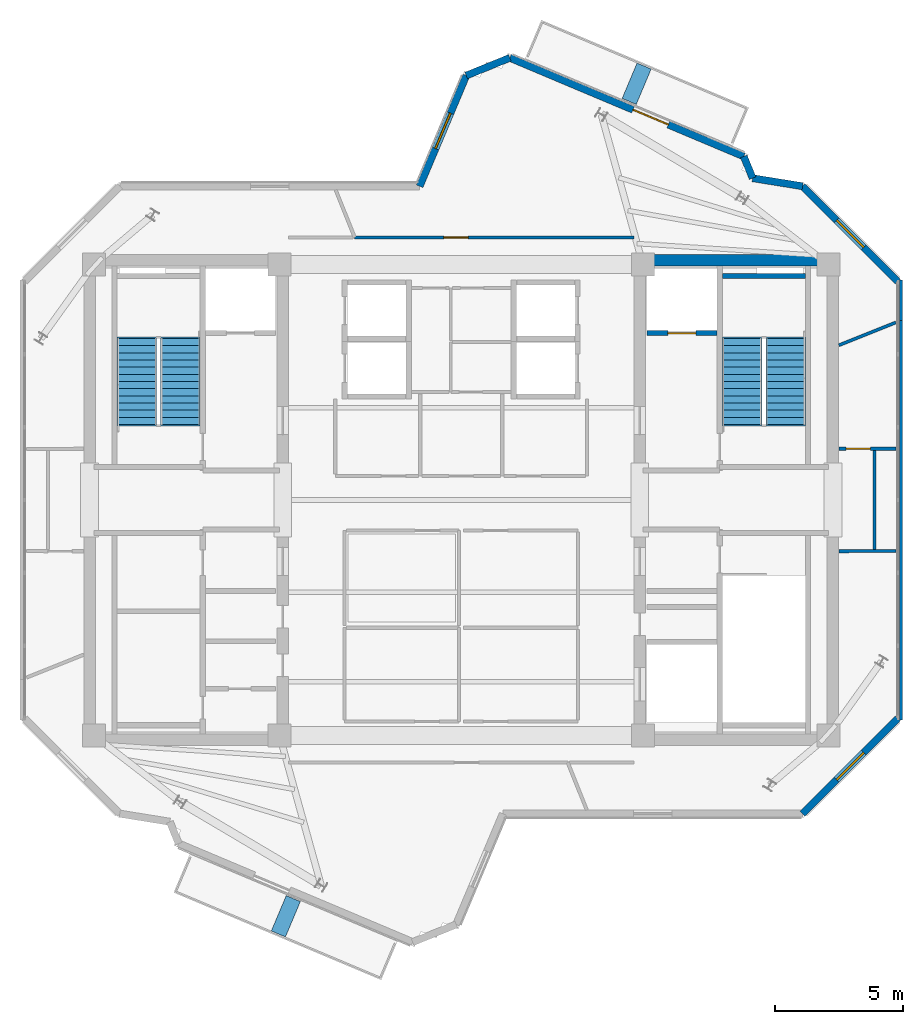
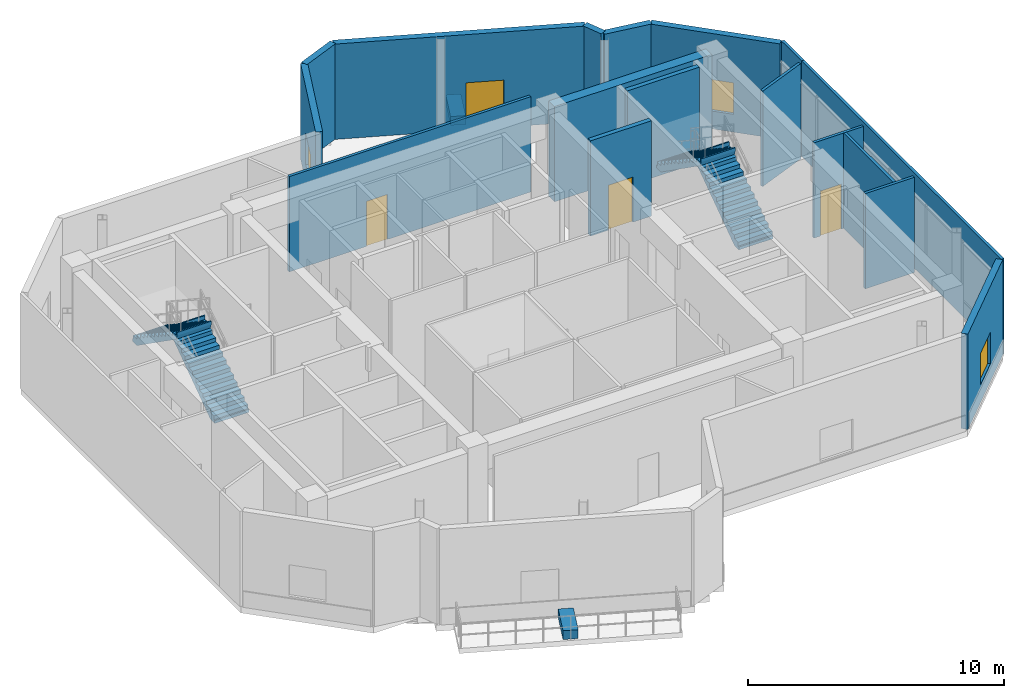
# One storey, part 9 of 11: 17 walls, 4 doors, 4 stair flights, 3 windows, 2 discrete accessories, 7 openings, 2 elements without a shape of their own.
"""IFC4 building model written with IfcOpenShell, lengths in metres."""

from ifc_helpers import new_model, si_unit, direction, frame, frame_2d, origin, origin_2d, place, context, subcontext, project, spatial, polyline, rectangle, outline, extrude, source, transform, mapped, material, layer, layer_set, type_object, element, fill, aggregate, save


model = new_model("IFC4")

# Units and contexts
model_context = context("Model", 3, precision=1e-05, world=origin(), true_north=direction((0.0, 1.0)))
body_context = subcontext(model_context, "Body", "Model", "MODEL_VIEW")
ifc_project = project(units=[si_unit("LENGTHUNIT", "METRE"), si_unit("AREAUNIT", "SQUARE_METRE"), si_unit("VOLUMEUNIT", "CUBIC_METRE"), si_unit("PLANEANGLEUNIT", "RADIAN"), si_unit("MASSUNIT", "GRAM", prefix="KILO")], contexts=[model_context])

# Site, building, storey
site_placement = place(None, origin())
site = spatial("IfcSite", under=ifc_project, at=site_placement, CompositionType="ELEMENT")
building_placement = place(site_placement, origin())
building = spatial("IfcBuilding", under=site, at=building_placement, Name="Zahravan Cultural Tower", CompositionType="ELEMENT")
storey_placement = place(building_placement, frame((0.0, 0.0, 365.85009765625)))
storey = spatial("IfcBuildingStorey", under=building, at=storey_placement, Name="L89", CompositionType="ELEMENT", Elevation=365.85009765625)

# Wall, opening, window
ifc_material_1 = material(Name="Precast concrete C40/50", Category="concrete")
ifc_layer_1 = layer(ifc_material_1, 0.280029296875)
ifc_layer_set_1 = layer_set([ifc_layer_1], Name="Precast concrete C40/50")
wall_type_1 = type_object("IfcWallType", Name="EW-TC-280", PredefinedType="SOLIDWALL", material=ifc_layer_set_1)
wall_1_placement = place(storey_placement, frame((34.373046875, 39.260009765625, 0.0), z_axis=(0.0, 0.0, 1.0), x_axis=(0.388331368366, 0.921519803554, 0.0)))
wall_1 = element("IfcWall", 1, at=wall_1_placement, inside=storey, type_object=wall_type_1, Name="L89 Exterior Masonry Frame Wall 01", PredefinedType="SOLIDWALL", context=body_context, shape_type="SweptSolid", body=[
    extrude(rectangle(XDim=4.69384765625, YDim=0.280029296875, at=frame_2d((2.346923828125, 0.0))), origin(), (0.0, 0.0, 1.0), 4.5498046875),
])
opening_1_placement = place(wall_1_placement, frame((1.596923828125, 0.0, 0.85009765625)))
opening_1 = element("IfcOpeningElement", 2, at=opening_1_placement, cuts=wall_1, Name="Opening WN-03", PredefinedType="OPENING", context=body_context, shape_type="SweptSolid", body=[
    extrude(rectangle(XDim=1.5, YDim=1.5, at=frame_2d((0.75, 0.75))), frame((0.0, 0.14990234375, 0.0), z_axis=(0.0, -1.0, 0.0), x_axis=(1.0, 0.0, 0.0)), (0.0, 0.0, 1.0), 0.300048828125),
])
ifc_material_2 = material(Name="Low-E solar-control double glazing", Category="glass")
window_type = type_object("IfcWindowType", Name="WN-REC-1500X1500", PartitioningType="SINGLE_PANEL", PredefinedType="WINDOW", material=ifc_material_2)
shared_shape_1 = source(origin(), body_context, "Body", "SweptSolid", [
    extrude(rectangle(XDim=1.5, YDim=1.5, at=frame_2d((0.75, 0.75))), frame((0.0, 0.030029296875, 0.0), z_axis=(0.0, -1.0, 0.0), x_axis=(1.0, 0.0, 0.0)), (0.0, 0.0, 1.0), 0.06005859375),
])
window_1_placement = place(opening_1_placement, origin())
window_1 = element("IfcWindow", 3, at=window_1_placement, inside=storey, type_object=window_type, Name="L89 Recessed Solar Window 01", OverallHeight=1.5, OverallWidth=1.5, PartitioningType="SINGLE_PANEL", PredefinedType="WINDOW", context=body_context, shape_type="MappedRepresentation", body=[
    mapped(shared_shape_1, transform((0.0, 0.0, 0.0), x_axis=(1.0, 0.0, 0.0), y_axis=(0.0, 1.0, 0.0), z_axis=(0.0, 0.0, 1.0), scale=1.0)),
])
fill(opening_1, window_1)

# Wall, opening, door
wall_2_placement = place(storey_placement, frame((37.898681640625, 44.278564453125, 0.0), z_axis=(0.0, 0.0, 1.0), x_axis=(0.921528789879, -0.38831004291, 0.0)))
wall_2 = element("IfcWall", 4, at=wall_2_placement, inside=storey, type_object=wall_type_1, Name="L89 Exterior Masonry Frame Wall 03", PredefinedType="SOLIDWALL", context=body_context, shape_type="SweptSolid", body=[
    extrude(rectangle(XDim=9.919921875, YDim=0.280029296875, at=frame_2d((4.9599609375, 0.0))), origin(), (0.0, 0.0, 1.0), 4.5498046875),
])
opening_2_placement = place(wall_2_placement, frame((5.219970703125, 0.0, 0.0)))
opening_2 = element("IfcOpeningElement", 5, at=opening_2_placement, cuts=wall_2, Name="Opening D-L89-TR-NE", PredefinedType="OPENING", context=body_context, shape_type="SweptSolid", body=[
    extrude(rectangle(XDim=1.5, YDim=2.25, at=frame_2d((0.75, 1.125))), frame((0.0, 0.14990234375, 0.0), z_axis=(0.0, -1.0, 0.0), x_axis=(1.0, 0.0, 0.0)), (0.0, 0.0, 1.0), 0.300048828125),
])
ifc_material_3 = material(Name="Anodised bronze-aluminium mullion", Category="aluminium")
door_type_1 = type_object("IfcDoorType", Name="DR-OBS-1500", OperationType="DOUBLE_DOOR_SINGLE_SWING", PredefinedType="DOOR", material=ifc_material_3)
shared_shape_2 = source(origin(), body_context, "Body", "SweptSolid", [
    extrude(rectangle(XDim=1.5, YDim=2.25, at=frame_2d((0.75, 1.125))), frame((0.0, 0.02490234375, 0.0), z_axis=(0.0, -1.0, 0.0), x_axis=(1.0, 0.0, 0.0)), (0.0, 0.0, 1.0), 0.050048828125),
])
door_1_placement = place(opening_2_placement, origin())
door_1 = element("IfcDoor", 6, at=door_1_placement, inside=storey, type_object=door_type_1, Name="L89 Terrace Access Door NE", OperationType="DOUBLE_DOOR_SINGLE_SWING", OverallHeight=2.25, OverallWidth=1.5, PredefinedType="DOOR", context=body_context, shape_type="MappedRepresentation", body=[
    mapped(shared_shape_2, transform((0.0, 0.0, 0.0), x_axis=(1.0, 0.0, 0.0), y_axis=(0.0, 1.0, 0.0), z_axis=(0.0, 0.0, 1.0), scale=1.0)),
])
fill(opening_2, door_1)

# Wall, opening, window
wall_3_placement = place(storey_placement, frame((49.342041015625, 39.260009765625, 0.0), z_axis=(0.0, 0.0, 1.0), x_axis=(0.707106781187, -0.707106781187, 0.0)))
wall_3 = element("IfcWall", 7, at=wall_3_placement, inside=storey, type_object=wall_type_1, Name="L89 Exterior Masonry Frame Wall 06", PredefinedType="SOLIDWALL", context=body_context, shape_type="SweptSolid", body=[
    extrude(rectangle(XDim=5.258056640625, YDim=0.280029296875, at=frame_2d((2.62890625, 0.0))), origin(), (0.0, 0.0, 1.0), 4.5498046875),
])
opening_3_placement = place(wall_3_placement, frame((1.87890625, 0.0, 0.85009765625)))
opening_3 = element("IfcOpeningElement", 8, at=opening_3_placement, cuts=wall_3, Name="Opening WN-03", PredefinedType="OPENING", context=body_context, shape_type="SweptSolid", body=[
    extrude(rectangle(XDim=1.5, YDim=1.5, at=frame_2d((0.75, 0.75))), frame((0.0, 0.14990234375, 0.0), z_axis=(0.0, -1.0, 0.0), x_axis=(1.0, 0.0, 0.0)), (0.0, 0.0, 1.0), 0.300048828125),
])
window_2_placement = place(opening_3_placement, origin())
window_2 = element("IfcWindow", 9, at=window_2_placement, inside=storey, type_object=window_type, Name="L89 Recessed Solar Window 02", OverallHeight=1.5, OverallWidth=1.5, PartitioningType="SINGLE_PANEL", PredefinedType="WINDOW", context=body_context, shape_type="MappedRepresentation", body=[
    mapped(shared_shape_1, transform((0.0, 0.0, 0.0), x_axis=(1.0, 0.0, 0.0), y_axis=(0.0, 1.0, 0.0), z_axis=(0.0, 0.0, 1.0), scale=1.0)),
])
fill(opening_3, window_2)

wall_4_placement = place(storey_placement, frame((53.06005859375, 18.4580078125, 0.0), z_axis=(0.0, 0.0, 1.0), x_axis=(-0.707106781187, -0.707106781187, 0.0)))
wall_4 = element("IfcWall", 10, at=wall_4_placement, inside=storey, type_object=wall_type_1, Name="L89 Exterior Masonry Frame Wall 07", PredefinedType="SOLIDWALL", context=body_context, shape_type="SweptSolid", body=[
    extrude(rectangle(XDim=5.258056640625, YDim=0.280029296875, at=frame_2d((2.62890625, 0.0))), origin(), (0.0, 0.0, 1.0), 4.5498046875),
])
opening_4_placement = place(wall_4_placement, frame((1.87890625, 0.0, 0.85009765625)))
opening_4 = element("IfcOpeningElement", 11, at=opening_4_placement, cuts=wall_4, Name="Opening WN-03", PredefinedType="OPENING", context=body_context, shape_type="SweptSolid", body=[
    extrude(rectangle(XDim=1.5, YDim=1.5, at=frame_2d((0.75, 0.75))), frame((0.0, 0.14990234375, 0.0), z_axis=(0.0, -1.0, 0.0), x_axis=(1.0, 0.0, 0.0)), (0.0, 0.0, 1.0), 0.300048828125),
])
window_3_placement = place(opening_4_placement, origin())
window_3 = element("IfcWindow", 12, at=window_3_placement, inside=storey, type_object=window_type, Name="L89 Recessed Solar Window 03", OverallHeight=1.5, OverallWidth=1.5, PartitioningType="SINGLE_PANEL", PredefinedType="WINDOW", context=body_context, shape_type="MappedRepresentation", body=[
    mapped(shared_shape_1, transform((0.0, 0.0, 0.0), x_axis=(1.0, 0.0, 0.0), y_axis=(0.0, 1.0, 0.0), z_axis=(0.0, 0.0, 1.0), scale=1.0)),
])
fill(opening_4, window_3)

# Wall, opening, door
ifc_material_4 = material(Name="Gypsum plasterboard partition")
ifc_layer_2 = layer(ifc_material_4, 0.125)
ifc_layer_set_2 = layer_set([ifc_layer_2], Name="Gypsum plasterboard partition")
wall_type_2 = type_object("IfcWallType", Name="W-PART-125", PredefinedType="PARTITIONING", material=ifc_layer_set_2)
wall_5_placement = place(storey_placement, frame((52.985107421875, 29.0, 0.0), z_axis=(0.0, 0.0, 1.0), x_axis=(-1.0, 0.0, 0.0)))
wall_5 = element("IfcWall", 13, at=wall_5_placement, inside=storey, type_object=wall_type_2, Name="L89 Interior Wall 081", PredefinedType="PARTITIONING", context=body_context, shape_type="SweptSolid", body=[
    extrude(rectangle(XDim=2.230224609375, YDim=0.125, at=frame_2d((1.115234375, 0.0))), origin(), (0.0, 0.0, 1.0), 4.5498046875),
])
opening_5_placement = place(wall_5_placement, frame((0.998291015625, 0.0, 0.0)))
opening_5 = element("IfcOpeningElement", 14, at=opening_5_placement, cuts=wall_5, Name="Opening D-L89-26", PredefinedType="OPENING", context=body_context, shape_type="SweptSolid", body=[
    extrude(rectangle(XDim=0.949951171875, YDim=2.14990234375, at=frame_2d((0.47509765625, 1.074951171875))), frame((0.0, 0.072509765625, 0.0), z_axis=(0.0, -1.0, 0.0), x_axis=(1.0, 0.0, 0.0)), (0.0, 0.0, 1.0), 0.14501953125),
])
door_type_2 = type_object("IfcDoorType", Name="DR-ROOM-950", OperationType="NOTDEFINED", PredefinedType="DOOR", material=ifc_material_3)
shared_shape_3 = source(origin(), body_context, "Body", "SweptSolid", [
    extrude(rectangle(XDim=0.949951171875, YDim=2.14990234375, at=frame_2d((0.47509765625, 1.074951171875))), frame((0.0, 0.02490234375, 0.0), z_axis=(0.0, -1.0, 0.0), x_axis=(1.0, 0.0, 0.0)), (0.0, 0.0, 1.0), 0.050048828125),
])
door_2_placement = place(opening_5_placement, origin())
door_2 = element("IfcDoor", 15, at=door_2_placement, inside=storey, type_object=door_type_2, Name="L89 Door D-L89-26", OperationType="SINGLE_SWING_LEFT", OverallHeight=2.14990234375, OverallWidth=0.949951171875, PredefinedType="DOOR", context=body_context, shape_type="MappedRepresentation", body=[
    mapped(shared_shape_3, transform((0.0, 0.0, 0.0), x_axis=(1.0, 0.0, 0.0), y_axis=(0.0, 1.0, 0.0), z_axis=(0.0, 0.0, 1.0), scale=1.0)),
])
fill(opening_5, door_2)

wall_6_placement = place(storey_placement, frame((42.742431640625, 37.259765625, 0.0), z_axis=(0.0, 0.0, 1.0), x_axis=(-0.999999999749, 2.2389396e-05, 0.0)))
wall_6 = element("IfcWall", 16, at=wall_6_placement, inside=storey, type_object=wall_type_2, Name="L89 Interior Wall 084", PredefinedType="PARTITIONING", context=body_context, shape_type="SweptSolid", body=[
    extrude(rectangle(XDim=10.904296875, YDim=0.125, at=frame_2d((5.4521484375, 0.0))), origin(), (0.0, 0.0, 1.0), 4.5498046875),
])
opening_6_placement = place(wall_6_placement, frame((6.47021484375, 0.0, 0.0)))
opening_6 = element("IfcOpeningElement", 17, at=opening_6_placement, cuts=wall_6, Name="Opening D-L89-23", PredefinedType="OPENING", context=body_context, shape_type="SweptSolid", body=[
    extrude(rectangle(XDim=0.949951171875, YDim=2.14990234375, at=frame_2d((0.47509765625, 1.074951171875))), frame((0.0, 0.072509765625, 0.0), z_axis=(0.0, -1.0, 0.0), x_axis=(1.0, 0.0, 0.0)), (0.0, 0.0, 1.0), 0.14501953125),
])
door_3_placement = place(opening_6_placement, origin())
door_3 = element("IfcDoor", 18, at=door_3_placement, inside=storey, type_object=door_type_2, Name="L89 Door D-L89-23", OperationType="SINGLE_SWING_RIGHT", OverallHeight=2.14990234375, OverallWidth=0.949951171875, PredefinedType="DOOR", context=body_context, shape_type="MappedRepresentation", body=[
    mapped(shared_shape_3, transform((0.0, 0.0, 0.0), x_axis=(1.0, 0.0, 0.0), y_axis=(0.0, 1.0, 0.0), z_axis=(0.0, 0.0, 1.0), scale=1.0)),
])
fill(opening_6, door_3)

ifc_material_5 = material(Name="Concrete C45/55", Category="concrete")
ifc_layer_3 = layer(ifc_material_5, 0.199951171875)
ifc_layer_set_3 = layer_set([ifc_layer_3], Name="Concrete C45/55")
wall_type_3 = type_object("IfcWallType", Name="W-SHAFT-200", PredefinedType="SOLIDWALL", material=ifc_layer_set_3)
wall_7_placement = place(storey_placement, frame((43.25, 33.52001953125, 0.0), z_axis=(0.0, 0.0, 1.0), x_axis=(1.0, 0.0, 0.0)))
wall_7 = element("IfcWall", 19, at=wall_7_placement, inside=storey, type_object=wall_type_3, Name="L89 Interior Wall 023", PredefinedType="SOLIDWALL", context=body_context, shape_type="SweptSolid", body=[
    extrude(rectangle(XDim=2.75, YDim=0.199951171875, at=frame_2d((1.375, 0.0))), origin(), (0.0, 0.0, 1.0), 4.5498046875),
])
opening_7_placement = place(wall_7_placement, frame((0.820068359375, 0.0, 0.0)))
opening_7 = element("IfcOpeningElement", 20, at=opening_7_placement, cuts=wall_7, Name="Opening LD-L89-02", PredefinedType="OPENING", context=body_context, shape_type="SweptSolid", body=[
    extrude(rectangle(XDim=1.10009765625, YDim=2.14990234375, at=frame_2d((0.550048828125, 1.074951171875))), frame((0.0, 0.10986328125, 0.0), z_axis=(0.0, -1.0, 0.0), x_axis=(1.0, 0.0, 0.0)), (0.0, 0.0, 1.0), 0.219970703125),
])
ifc_material_6 = material(Name="Steel ASTM A572 Grade 50", Category="steel")
door_type_3 = type_object("IfcDoorType", Name="DR-LIFT-1100", OperationType="DOUBLE_DOOR_SLIDING", PredefinedType="DOOR", material=ifc_material_6)
shared_shape_4 = source(origin(), body_context, "Body", "SweptSolid", [
    extrude(rectangle(XDim=1.10009765625, YDim=2.14990234375, at=frame_2d((0.550048828125, 1.074951171875))), frame((0.0, 0.02490234375, 0.0), z_axis=(0.0, -1.0, 0.0), x_axis=(1.0, 0.0, 0.0)), (0.0, 0.0, 1.0), 0.050048828125),
])
door_4_placement = place(opening_7_placement, origin())
door_4 = element("IfcDoor", 21, at=door_4_placement, inside=storey, type_object=door_type_3, Name="L89 Door LD-L89-02", OperationType="DOUBLE_DOOR_SLIDING", OverallHeight=2.14990234375, OverallWidth=1.10009765625, PredefinedType="DOOR", context=body_context, shape_type="MappedRepresentation", body=[
    mapped(shared_shape_4, transform((0.0, 0.0, 0.0), x_axis=(1.0, 0.0, 0.0), y_axis=(0.0, 1.0, 0.0), z_axis=(0.0, 0.0, 1.0), scale=1.0)),
])
fill(opening_7, door_4)

# Walls
ifc_material_7 = material(Name="Concrete C50/60", Category="concrete")
ifc_layer_4 = layer(ifc_material_7, 0.449951171875)
ifc_layer_set_4 = layer_set([ifc_layer_4], Name="Concrete C50/60")
wall_type_4 = type_object("IfcWallType", Name="CW-SHEAR-450-C50", PredefinedType="SHEAR", material=ifc_layer_set_4)
shared_shape_5 = source(origin(), body_context, "Body", "SweptSolid", [
    extrude(rectangle(XDim=7.10009765625, YDim=0.449951171875, at=frame_2d((3.550048828125, 0.0))), origin(), (0.0, 0.0, 1.0), 4.5498046875),
])
wall_8_placement = place(storey_placement, frame((43.199951171875, 36.375, 0.0), z_axis=(0.0, 0.0, 1.0), x_axis=(1.0, 0.0, 0.0)))
element("IfcWall", 22, at=wall_8_placement, inside=storey, type_object=wall_type_4, Name="L89 Core Shear Wall CW-E-N-L89", PredefinedType="SHEAR", context=body_context, shape_type="MappedRepresentation", body=[
    mapped(shared_shape_5, transform((0.0, 0.0, 0.0), x_axis=(1.0, 0.0, 0.0), y_axis=(0.0, 1.0, 0.0), z_axis=(0.0, 0.0, 1.0), scale=1.0)),
])
shared_shape_6 = source(origin(), body_context, "Body", "SweptSolid", [
    extrude(rectangle(XDim=1.838623046875, YDim=0.280029296875, at=frame_2d((0.91943359375, 0.0))), origin(), (0.0, 0.0, 1.0), 4.5498046875),
])
wall_9_placement = place(storey_placement, frame((36.19580078125, 43.58544921875, 0.0), z_axis=(0.0, 0.0, 1.0), x_axis=(0.926216039781, 0.376993166586, 0.0)))
element("IfcWall", 23, at=wall_9_placement, inside=storey, type_object=wall_type_1, Name="L89 Exterior Masonry Frame Wall 02", PredefinedType="SOLIDWALL", context=body_context, shape_type="MappedRepresentation", body=[
    mapped(shared_shape_6, transform((0.0, 0.0, 0.0), x_axis=(1.0, 0.0, 0.0), y_axis=(0.0, 1.0, 0.0), z_axis=(0.0, 0.0, 1.0), scale=1.0)),
])
shared_shape_7 = source(origin(), body_context, "Body", "SweptSolid", [
    extrude(rectangle(XDim=0.919189453125, YDim=0.280029296875, at=frame_2d((0.45947265625, 0.0))), origin(), (0.0, 0.0, 1.0), 4.5498046875),
])
wall_10_placement = place(storey_placement, frame((47.040283203125, 40.426513671875, 0.0), z_axis=(0.0, 0.0, 1.0), x_axis=(0.376925603324, -0.926243536851, 0.0)))
element("IfcWall", 24, at=wall_10_placement, inside=storey, type_object=wall_type_1, Name="L89 Exterior Masonry Frame Wall 04", PredefinedType="SOLIDWALL", context=body_context, shape_type="MappedRepresentation", body=[
    mapped(shared_shape_7, transform((0.0, 0.0, 0.0), x_axis=(1.0, 0.0, 0.0), y_axis=(0.0, 1.0, 0.0), z_axis=(0.0, 0.0, 1.0), scale=1.0)),
])
shared_shape_8 = source(origin(), body_context, "Body", "SweptSolid", [
    extrude(rectangle(XDim=1.98046875, YDim=0.280029296875, at=frame_2d((0.990234375, 0.0))), origin(), (0.0, 0.0, 1.0), 4.5498046875),
])
wall_11_placement = place(storey_placement, frame((47.38671875, 39.5751953125, 0.0), z_axis=(0.0, 0.0, 1.0), x_axis=(0.987256118563, -0.159139424281, 0.0)))
element("IfcWall", 25, at=wall_11_placement, inside=storey, type_object=wall_type_1, Name="L89 Exterior Masonry Frame Wall 05", PredefinedType="SOLIDWALL", context=body_context, shape_type="MappedRepresentation", body=[
    mapped(shared_shape_8, transform((0.0, 0.0, 0.0), x_axis=(1.0, 0.0, 0.0), y_axis=(0.0, 1.0, 0.0), z_axis=(0.0, 0.0, 1.0), scale=1.0)),
])
shared_shape_9 = source(origin(), body_context, "Body", "SweptSolid", [
    extrude(rectangle(XDim=3.25, YDim=0.199951171875, at=frame_2d((1.625, 0.0))), origin(), (0.0, 0.0, 1.0), 4.5498046875),
])
wall_12_placement = place(storey_placement, frame((46.199951171875, 35.75, 0.0), z_axis=(0.0, 0.0, 1.0), x_axis=(1.0, 0.0, 0.0)))
element("IfcWall", 26, at=wall_12_placement, inside=storey, type_object=wall_type_3, Name="L89 Interior Wall 018", PredefinedType="SOLIDWALL", context=body_context, shape_type="MappedRepresentation", body=[
    mapped(shared_shape_9, transform((0.0, 0.0, 0.0), x_axis=(1.0, 0.0, 0.0), y_axis=(0.0, 1.0, 0.0), z_axis=(0.0, 0.0, 1.0), scale=1.0)),
])
shared_shape_10 = source(origin(), body_context, "Body", "SweptSolid", [
    extrude(rectangle(XDim=2.396728515625, YDim=0.125, at=frame_2d((1.1982421875, 0.0))), origin(), (0.0, 0.0, 1.0), 4.5498046875),
])
wall_13_placement = place(storey_placement, frame((50.7548828125, 33.04541015625, 0.0), z_axis=(0.0, 0.0, 1.0), x_axis=(0.928357220149, 0.371689213992, 0.0)))
element("IfcWall", 27, at=wall_13_placement, inside=storey, type_object=wall_type_2, Name="L89 Interior Wall 082", PredefinedType="PARTITIONING", context=body_context, shape_type="MappedRepresentation", body=[
    mapped(shared_shape_10, transform((0.0, 0.0, 0.0), x_axis=(1.0, 0.0, 0.0), y_axis=(0.0, 1.0, 0.0), z_axis=(0.0, 0.0, 1.0), scale=1.0)),
])
shared_shape_11 = source(origin(), body_context, "Body", "SweptSolid", [
    extrude(rectangle(XDim=15.60791015625, YDim=0.125, at=frame_2d((7.803955078125, 0.0))), origin(), (0.0, 0.0, 1.0), 4.5498046875),
])
wall_14_placement = place(storey_placement, frame((53.179931640625, 34.01611328125, 0.0), z_axis=(0.0, 0.0, 1.0), x_axis=(0.0, -1.0, 0.0)))
element("IfcWall", 28, at=wall_14_placement, inside=storey, type_object=wall_type_2, Name="L89 Interior Wall 083", PredefinedType="PARTITIONING", context=body_context, shape_type="MappedRepresentation", body=[
    mapped(shared_shape_11, transform((0.0, 0.0, 0.0), x_axis=(1.0, 0.0, 0.0), y_axis=(0.0, 1.0, 0.0), z_axis=(0.0, 0.0, 1.0), scale=1.0)),
])
shared_shape_12 = source(origin(), body_context, "Body", "SweptSolid", [
    extrude(rectangle(XDim=2.230224609375, YDim=0.125, at=frame_2d((1.115234375, 0.0))), origin(), (0.0, 0.0, 1.0), 4.5498046875),
])
wall_15_placement = place(storey_placement, frame((50.7548828125, 25.000244140625, 0.0), z_axis=(0.0, 0.0, 1.0), x_axis=(0.999997100011, 0.002408312666, 0.0)))
element("IfcWall", 29, at=wall_15_placement, inside=storey, type_object=wall_type_2, Name="L89 Interior Wall 079", PredefinedType="PARTITIONING", context=body_context, shape_type="MappedRepresentation", body=[
    mapped(shared_shape_12, transform((0.0, 0.0, 0.0), x_axis=(1.0, 0.0, 0.0), y_axis=(0.0, 1.0, 0.0), z_axis=(0.0, 0.0, 1.0), scale=1.0)),
])
shared_shape_13 = source(origin(), body_context, "Body", "SweptSolid", [
    extrude(rectangle(XDim=3.923095703125, YDim=0.125, at=frame_2d((1.96142578125, 0.0))), origin(), (0.0, 0.0, 1.0), 4.5498046875),
])
wall_16_placement = place(storey_placement, frame((52.1494140625, 25.071044921875, 0.0), z_axis=(0.0, 0.0, 1.0), x_axis=(0.000124463251, 0.999999992254, 0.0)))
element("IfcWall", 30, at=wall_16_placement, inside=storey, type_object=wall_type_2, Name="L89 Interior Wall 080", PredefinedType="PARTITIONING", context=body_context, shape_type="MappedRepresentation", body=[
    mapped(shared_shape_13, transform((0.0, 0.0, 0.0), x_axis=(1.0, 0.0, 0.0), y_axis=(0.0, 1.0, 0.0), z_axis=(0.0, 0.0, 1.0), scale=1.0)),
])
shared_shape_14 = source(origin(), body_context, "Body", "SweptSolid", [
    extrude(rectangle(XDim=1.57568359375, YDim=0.125, at=frame_2d((0.787841796875, 0.0))), origin(), (0.0, 0.0, 1.0), 4.5498046875),
])
wall_17_placement = place(storey_placement, frame((53.179931640625, 35.591796875, 0.0), z_axis=(0.0, 0.0, 1.0), x_axis=(0.0, -1.0, 0.0)))
element("IfcWall", 31, at=wall_17_placement, inside=storey, type_object=wall_type_2, Name="L89 Interior Wall 085", PredefinedType="PARTITIONING", context=body_context, shape_type="MappedRepresentation", body=[
    mapped(shared_shape_14, transform((0.0, 0.0, 0.0), x_axis=(1.0, 0.0, 0.0), y_axis=(0.0, 1.0, 0.0), z_axis=(0.0, 0.0, 1.0), scale=1.0)),
])

# Stair, stair flights
stair_type = type_object("IfcStairType", Name="STR-DL-1550-480", PredefinedType="HALF_TURN_STAIR", material=ifc_material_5)
stair_1_placement = place(storey_placement, origin())
stair_1 = element("IfcStair", 32, at=stair_1_placement, inside=storey, type_object=stair_type, Name="L89 West Core North Exit Stair ST-W1", PredefinedType="HALF_TURN_STAIR")
stair_flight_type = type_object("IfcStairFlightType", Name="FLG-DL-1550-480", PredefinedType="STRAIGHT", material=ifc_material_5)
stair_flight_1_placement = place(storey_placement, frame((25.02490234375, 29.949951171875, 0.0), z_axis=(0.0, 0.0, 1.0), x_axis=(0.0, 1.0, 0.0)))
stair_flight_1 = element("IfcStairFlight", 33, at=stair_flight_1_placement, type_object=stair_flight_type, Name="ST-W1 flight 1", NumberOfRisers=13, NumberOfTreads=12, PredefinedType="STRAIGHT", RiserHeight=0.184615385, TreadLength=0.28, context=body_context, shape_type="SweptSolid", body=[
    extrude(outline(polyline([(-0.06494140625, -0.139892578125), (-0.06494140625, 0.0), (0.0, 0.0), (0.0, 0.1845703125), (0.280029296875, 0.1845703125), (0.280029296875, 0.369140625), (0.56005859375, 0.369140625), (0.56005859375, 0.553955078125), (0.840087890625, 0.553955078125), (0.840087890625, 0.738525390625), (1.1201171875, 0.738525390625), (1.1201171875, 0.923095703125), (1.39990234375, 0.923095703125), (1.39990234375, 1.107666015625), (1.679931640625, 1.107666015625), (1.679931640625, 1.292236328125), (1.9599609375, 1.292236328125), (1.9599609375, 1.476806640625), (2.239990234375, 1.476806640625), (2.239990234375, 1.66162109375), (2.52001953125, 1.66162109375), (2.52001953125, 1.84619140625), (2.800048828125, 1.84619140625), (2.800048828125, 2.03076171875), (3.080078125, 2.03076171875), (3.080078125, 2.21533203125), (3.360107421875, 2.21533203125), (3.360107421875, 2.39990234375), (3.425048828125, 2.39990234375), (3.425048828125, 2.25), (3.360107421875, 2.035888671875), (0.272216796875, -0.139892578125), (-0.06494140625, -0.139892578125)])), frame((0.0, 0.77490234375, 0.0), z_axis=(0.0, -1.0, 0.0), x_axis=(1.0, 0.0, 0.0)), (0.0, 0.0, 1.0), 1.550048828125),
])
stair_flight_2_placement = place(storey_placement, frame((23.324951171875, 33.31005859375, 2.39990234375), z_axis=(0.0, 0.0, 1.0), x_axis=(0.0, -1.0, 0.0)))
stair_flight_2 = element("IfcStairFlight", 34, at=stair_flight_2_placement, type_object=stair_flight_type, Name="ST-W1 flight 2", NumberOfRisers=13, NumberOfTreads=12, PredefinedType="STRAIGHT", RiserHeight=0.184615385, TreadLength=0.28, context=body_context, shape_type="SweptSolid", body=[
    extrude(outline(polyline([(-0.06494140625, -0.139892578125), (-0.06494140625, 0.0), (0.0, 0.0), (0.0, 0.1845703125), (0.280029296875, 0.1845703125), (0.280029296875, 0.369140625), (0.56005859375, 0.369140625), (0.56005859375, 0.553955078125), (0.840087890625, 0.553955078125), (0.840087890625, 0.738525390625), (1.1201171875, 0.738525390625), (1.1201171875, 0.923095703125), (1.39990234375, 0.923095703125), (1.39990234375, 1.107666015625), (1.679931640625, 1.107666015625), (1.679931640625, 1.292236328125), (1.9599609375, 1.292236328125), (1.9599609375, 1.476806640625), (2.239990234375, 1.476806640625), (2.239990234375, 1.66162109375), (2.52001953125, 1.66162109375), (2.52001953125, 1.84619140625), (2.800048828125, 1.84619140625), (2.800048828125, 2.03076171875), (3.080078125, 2.03076171875), (3.080078125, 2.21533203125), (3.360107421875, 2.21533203125), (3.360107421875, 2.39990234375), (3.425048828125, 2.39990234375), (3.425048828125, 2.25), (3.360107421875, 2.035888671875), (0.272216796875, -0.139892578125), (-0.06494140625, -0.139892578125)])), frame((0.0, 0.77490234375, 0.0), z_axis=(0.0, -1.0, 0.0), x_axis=(1.0, 0.0, 0.0)), (0.0, 0.0, 1.0), 1.550048828125),
])
aggregate(stair_1, [stair_flight_1, stair_flight_2])

stair_2_placement = place(storey_placement, origin())
stair_2 = element("IfcStair", 35, at=stair_2_placement, inside=storey, type_object=stair_type, Name="L89 East Core North Exit Stair ST-E1", PredefinedType="HALF_TURN_STAIR")
stair_flight_3_placement = place(storey_placement, frame((48.675048828125, 29.949951171875, 0.0), z_axis=(0.0, 0.0, 1.0), x_axis=(0.0, 1.0, 0.0)))
stair_flight_3 = element("IfcStairFlight", 36, at=stair_flight_3_placement, type_object=stair_flight_type, Name="ST-E1 flight 1", NumberOfRisers=13, NumberOfTreads=12, PredefinedType="STRAIGHT", RiserHeight=0.184615385, TreadLength=0.28, context=body_context, shape_type="SweptSolid", body=[
    extrude(outline(polyline([(-0.06494140625, -0.139892578125), (-0.06494140625, 0.0), (0.0, 0.0), (0.0, 0.1845703125), (0.280029296875, 0.1845703125), (0.280029296875, 0.369140625), (0.56005859375, 0.369140625), (0.56005859375, 0.553955078125), (0.840087890625, 0.553955078125), (0.840087890625, 0.738525390625), (1.1201171875, 0.738525390625), (1.1201171875, 0.923095703125), (1.39990234375, 0.923095703125), (1.39990234375, 1.107666015625), (1.679931640625, 1.107666015625), (1.679931640625, 1.292236328125), (1.9599609375, 1.292236328125), (1.9599609375, 1.476806640625), (2.239990234375, 1.476806640625), (2.239990234375, 1.66162109375), (2.52001953125, 1.66162109375), (2.52001953125, 1.84619140625), (2.800048828125, 1.84619140625), (2.800048828125, 2.03076171875), (3.080078125, 2.03076171875), (3.080078125, 2.21533203125), (3.360107421875, 2.21533203125), (3.360107421875, 2.39990234375), (3.425048828125, 2.39990234375), (3.425048828125, 2.25), (3.360107421875, 2.035888671875), (0.272216796875, -0.139892578125), (-0.06494140625, -0.139892578125)])), frame((0.0, 0.77490234375, 0.0), z_axis=(0.0, -1.0, 0.0), x_axis=(1.0, 0.0, 0.0)), (0.0, 0.0, 1.0), 1.550048828125),
])
stair_flight_4_placement = place(storey_placement, frame((46.97509765625, 33.31005859375, 2.39990234375), z_axis=(0.0, 0.0, 1.0), x_axis=(0.0, -1.0, 0.0)))
stair_flight_4 = element("IfcStairFlight", 37, at=stair_flight_4_placement, type_object=stair_flight_type, Name="ST-E1 flight 2", NumberOfRisers=13, NumberOfTreads=12, PredefinedType="STRAIGHT", RiserHeight=0.184615385, TreadLength=0.28, context=body_context, shape_type="SweptSolid", body=[
    extrude(outline(polyline([(-0.06494140625, -0.139892578125), (-0.06494140625, 0.0), (0.0, 0.0), (0.0, 0.1845703125), (0.280029296875, 0.1845703125), (0.280029296875, 0.369140625), (0.56005859375, 0.369140625), (0.56005859375, 0.553955078125), (0.840087890625, 0.553955078125), (0.840087890625, 0.738525390625), (1.1201171875, 0.738525390625), (1.1201171875, 0.923095703125), (1.39990234375, 0.923095703125), (1.39990234375, 1.107666015625), (1.679931640625, 1.107666015625), (1.679931640625, 1.292236328125), (1.9599609375, 1.292236328125), (1.9599609375, 1.476806640625), (2.239990234375, 1.476806640625), (2.239990234375, 1.66162109375), (2.52001953125, 1.66162109375), (2.52001953125, 1.84619140625), (2.800048828125, 1.84619140625), (2.800048828125, 2.03076171875), (3.080078125, 2.03076171875), (3.080078125, 2.21533203125), (3.360107421875, 2.21533203125), (3.360107421875, 2.39990234375), (3.425048828125, 2.39990234375), (3.425048828125, 2.25), (3.360107421875, 2.035888671875), (0.272216796875, -0.139892578125), (-0.06494140625, -0.139892578125)])), frame((0.0, 0.77490234375, 0.0), z_axis=(0.0, -1.0, 0.0), x_axis=(1.0, 0.0, 0.0)), (0.0, 0.0, 1.0), 1.550048828125),
])
aggregate(stair_2, [stair_flight_3, stair_flight_4])

# Discrete accessories
ifc_material_8 = material(Name="Planted soil and terracotta planter", Category="masonry")
discrete_accessory_type = type_object("IfcDiscreteAccessoryType", Name="ACC-PLANTER-TC", PredefinedType="USERDEFINED", material=ifc_material_8)
shared_shape_15 = source(origin(), body_context, "Body", "SweptSolid", [
    extrude(rectangle(XDim=1.5, YDim=0.60009765625, at=origin_2d()), origin(), (0.0, 0.0, 1.0), 0.419921875),
])
for number, where, z_axis, x_axis, name in (
    (38, (42.854736328125, 43.26708984375, 0.0), (0.0, 0.0, 1.0), (0.388319916157, 0.921524629468, 0.0), "L89 Terracotta Sculpture Planter NE"),
    (39, (29.145263671875, 10.73291015625, 0.0), (0.0, 0.0, 1.0), (0.388319916157, 0.921524629468, 0.0), "L89 Terracotta Sculpture Planter SW"),
):
    element("IfcDiscreteAccessory", number, at=place(storey_placement, frame(where, z_axis=z_axis, x_axis=x_axis)), inside=storey, type_object=discrete_accessory_type, Name=name, ObjectType="PLANTER", PredefinedType="USERDEFINED", context=body_context, shape_type="MappedRepresentation", body=[
        mapped(shared_shape_15, transform((0.0, 0.0, 0.0), x_axis=(1.0, 0.0, 0.0), y_axis=(0.0, 1.0, 0.0), z_axis=(0.0, 0.0, 1.0), scale=1.0)),
    ])

save(model, "model.ifc")
